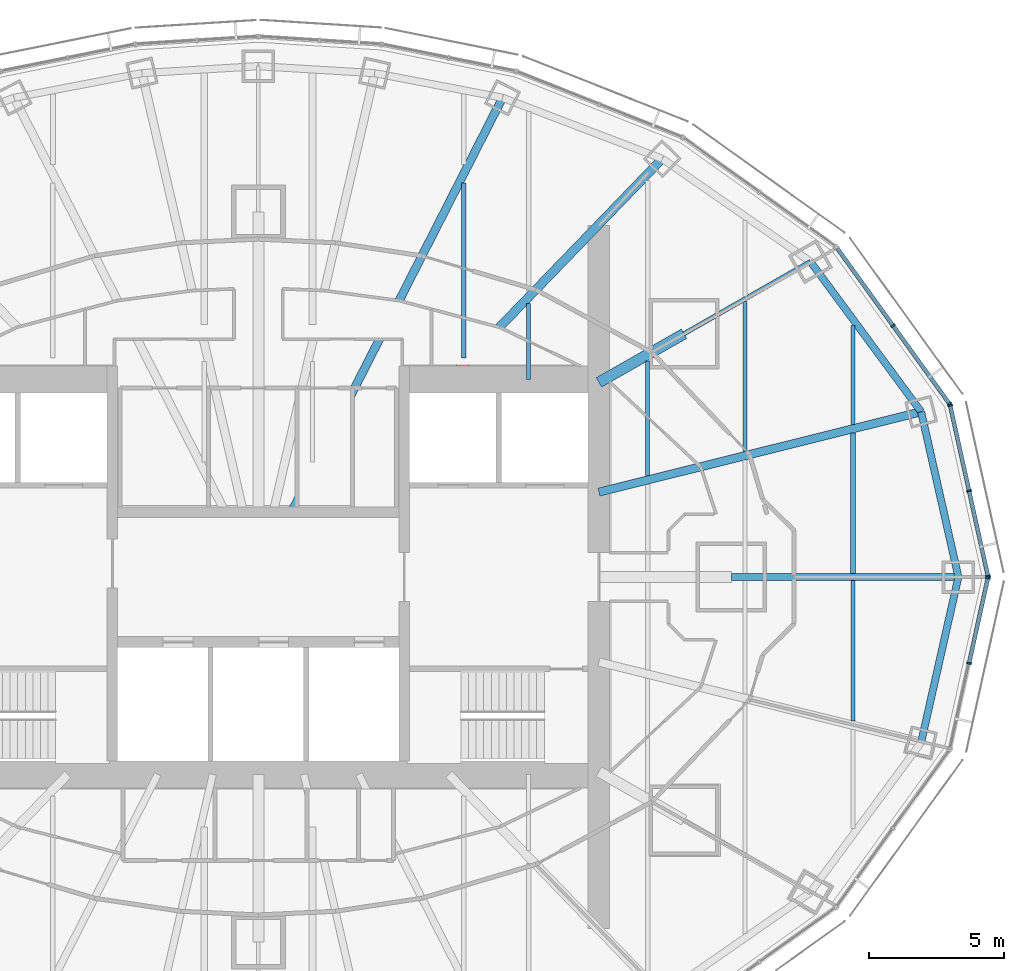
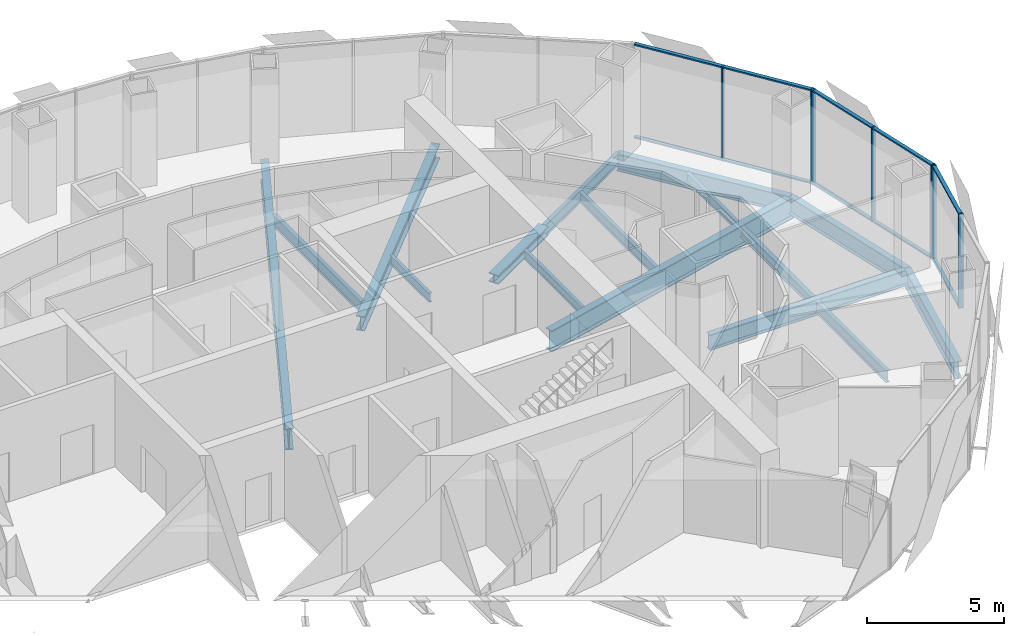
# One storey, part 7 of 17: 17 members, 16 beams, 3 elements without a shape of their own.
"""IFC4 building model written with IfcOpenShell, lengths in metres."""

import ifcopenshell
import ifcopenshell.guid

model = None  # the IFC model being written
_history = None  # IfcOwnerHistory: only IFC2X3 demands one
_inside = {}  # id of a spatial element -> (the spatial element, [elements in it])
_under = {}  # id of a project, library or spatial element -> (it, [spatial elements below it])
_declared = {}  # id of a project -> (the project, [libraries it declares])
_typed = {}  # id of a type object -> (the type object, [elements of that type])
_made_of = {}  # id of a material, layer set ... -> (it, [elements and type objects made of it])


def new_model(schema):
    """Start an empty IFC model of exactly this schema.

    Asked for "IFC4X3", IfcOpenShell would pick the latest addendum, in which some entities
    have other attributes; the version numbers below select the first issue.
    IFC2X3 requires an IfcOwnerHistory on every rooted entity: one is made here for all.
    """
    global model, _history
    if schema == "IFC4X3":
        model = ifcopenshell.file(schema_version=(4, 3, 0, 0))
    else:
        model = ifcopenshell.file(schema=schema)
    _inside.clear()
    _under.clear()
    _declared.clear()
    _typed.clear()
    _made_of.clear()
    _history = None
    if model.schema == "IFC2X3":
        org = make("IfcOrganization", Name="unknown")
        user = make(
            "IfcPersonAndOrganization",
            ThePerson=make("IfcPerson", FamilyName="unknown"),
            TheOrganization=org,
        )
        app = make(
            "IfcApplication",
            ApplicationDeveloper=org,
            Version="unknown",
            ApplicationFullName="unknown",
            ApplicationIdentifier="unknown",
        )
        _history = make(
            "IfcOwnerHistory",
            OwningUser=user,
            OwningApplication=app,
            ChangeAction="ADDED",
            CreationDate=0,
        )
    return model


def make(cls, **values):
    """One entity of the class cls with the attributes given. An attribute that is None is left unset."""
    return model.create_entity(
        cls, **{name: value for name, value in values.items() if value is not None}
    )


def rooted(cls, **values):
    """An entity with a GlobalId (a new one), such as an element, a storey or a relation."""
    return make(cls, GlobalId=ifcopenshell.guid.new(), OwnerHistory=_history, **values)


def si_unit(unit_type, name, prefix=None):
    """IfcSIUnit, for example si_unit("LENGTHUNIT", "METRE", prefix="MILLI")."""
    return make("IfcSIUnit", UnitType=unit_type, Prefix=prefix, Name=name)


def assignment(units):
    """IfcUnitAssignment: the units of a project."""
    return None if units is None else make("IfcUnitAssignment", Units=units)


def point(xyz):
    """IfcCartesianPoint."""
    return None if xyz is None else make("IfcCartesianPoint", Coordinates=xyz)


def direction(xyz):
    """IfcDirection."""
    return None if xyz is None else make("IfcDirection", DirectionRatios=xyz)


def frame(location, z_axis=None, x_axis=None):
    """IfcAxis2Placement3D, a coordinate frame: its origin and axes. An axis left out is left unset."""
    return make(
        "IfcAxis2Placement3D",
        Location=point(location),
        Axis=direction(z_axis),
        RefDirection=direction(x_axis),
    )


def frame_2d(location, x_axis=None):
    """IfcAxis2Placement2D, a coordinate frame in the plane: its origin and x axis."""
    return make(
        "IfcAxis2Placement2D", Location=point(location), RefDirection=direction(x_axis)
    )


def origin():
    """The frame at (0, 0, 0) with its axes left unset."""
    return frame((0.0, 0.0, 0.0))


def origin_2d():
    """The frame at (0, 0) in the plane with its x axis left unset."""
    return frame_2d((0.0, 0.0))


def place(relative_to, where):
    """IfcLocalPlacement: puts the frame where relative to a parent placement (None: the world)."""
    return make(
        "IfcLocalPlacement", PlacementRelTo=relative_to, RelativePlacement=where
    )


def context(
    kind, dimensions, precision=None, world=None, true_north=None, identifier=None
):
    """IfcGeometricRepresentationContext, for example the 3D "Model" context."""
    return make(
        "IfcGeometricRepresentationContext",
        ContextIdentifier=identifier,
        ContextType=kind,
        CoordinateSpaceDimension=dimensions,
        Precision=precision,
        WorldCoordinateSystem=world,
        TrueNorth=true_north,
    )


def subcontext(parent, identifier, kind, view, scale=None):
    """IfcGeometricRepresentationSubContext, for example "Body" below "Model"."""
    return make(
        "IfcGeometricRepresentationSubContext",
        ContextIdentifier=identifier,
        ContextType=kind,
        ParentContext=parent,
        TargetScale=scale,
        TargetView=view,
    )


def project(units=None, contexts=None):
    """IfcProject with its units and contexts."""
    return rooted(
        "IfcProject",
        Name="project",
        RepresentationContexts=contexts,
        UnitsInContext=assignment(units),
    )


def spatial(cls, under=None, at=None, **own):
    """A site, building, storey or space (cls), placed at a placement, below another one or the project."""
    s = rooted(cls, ObjectPlacement=at, **own)
    if under is not None:
        _under.setdefault(under.id(), (under, []))[1].append(s)
    return s


def profile(cls, at=None, kind="AREA", **sizes):
    """A parametric profile (cls). Its sizes go by their IFC names, for example OverallWidth=200.0."""
    return make(cls, ProfileType=kind, Position=at, **sizes)


def rectangle(**sizes):
    """IfcRectangleProfileDef."""
    return profile("IfcRectangleProfileDef", **sizes)


def i_section(**sizes):
    """IfcIShapeProfileDef."""
    return profile("IfcIShapeProfileDef", **sizes)


def extrude(swept, where, along, depth):
    """IfcExtrudedAreaSolid: the profile swept, set in the frame where, extruded along a direction by depth."""
    return make(
        "IfcExtrudedAreaSolid",
        SweptArea=swept,
        Position=where,
        ExtrudedDirection=direction(along),
        Depth=depth,
    )


def shape(context_of_items, identifier, shape_type, items):
    """IfcShapeRepresentation: the items that make up one representation, for example the "Body"."""
    return make(
        "IfcShapeRepresentation",
        ContextOfItems=context_of_items,
        RepresentationIdentifier=identifier,
        RepresentationType=shape_type,
        Items=items,
    )


def material(Name=None, Category=None):
    """IfcMaterial."""
    return make("IfcMaterial", Name=Name, Category=Category)


def material_profile(
    of_material, cross_section, Name=None, Category=None, Priority=None
):
    """IfcMaterialProfile: a cross section and its material."""
    return make(
        "IfcMaterialProfile",
        Name=Name,
        Material=of_material,
        Profile=cross_section,
        Priority=Priority,
        Category=Category,
    )


def profile_set(profiles, Name=None, composite=None):
    """IfcMaterialProfileSet."""
    return make(
        "IfcMaterialProfileSet",
        Name=Name,
        MaterialProfiles=profiles,
        CompositeProfile=composite,
    )


def made_of(thing, what):
    """Note that an element or type object is made of a material, layer set ...; save() writes the relation."""
    if what is not None:
        _made_of.setdefault(what.id(), (what, []))[1].append(thing)
    return thing


def type_object(cls, material=None, **own):
    """A type object (cls), such as IfcWallType, which elements share."""
    return made_of(rooted(cls, **own), material)


def element(
    cls,
    number,
    at=None,
    inside=None,
    cuts=None,
    type_object=None,
    material=None,
    context=None,
    identifier="Body",
    shape_type=None,
    held_by="IfcProductDefinitionShape",
    body=None,
    shapes=None,
    **own,
):
    """One element of the class cls, such as IfcWall. Its Tag is "e" and its number.

    at: its placement. inside: the storey or other place that contains it. cuts: it is an
    opening in that element (IfcRelVoidsElement). A single representation is given by context,
    identifier, shape_type and body (its items); several are given by shapes. held_by: the class
    of the entity that holds the representations. save() writes the other relations.
    """
    e = rooted(cls, Tag="e%d" % number, ObjectPlacement=at, **own)
    if body is not None:
        shapes = [shape(context, identifier, shape_type, body)]
    if shapes is not None:
        e.Representation = make(held_by, Representations=shapes)
    if inside is not None:
        _inside.setdefault(inside.id(), (inside, []))[1].append(e)
    if cuts is not None:
        rooted(
            "IfcRelVoidsElement", RelatingBuildingElement=cuts, RelatedOpeningElement=e
        )
    if type_object is not None:
        _typed.setdefault(type_object.id(), (type_object, []))[1].append(e)
    return made_of(e, material)


def aggregate(whole, parts):
    """IfcRelAggregates: a whole, such as a stair, and the parts it consists of."""
    return rooted("IfcRelAggregates", RelatingObject=whole, RelatedObjects=parts)


def save(model, path):
    """Write the relations noted so far, then the file.

    IfcRelAggregates (storeys below a building ...), IfcRelContainedInSpatialStructure (elements
    in a storey), IfcRelDefinesByType, IfcRelAssociatesMaterial and IfcRelDeclares: one each for
    every whole, place, type object, material and project.
    """
    for whole, parts in _under.values():
        aggregate(whole, parts)
    for where, things in _inside.values():
        rooted(
            "IfcRelContainedInSpatialStructure",
            RelatedElements=things,
            RelatingStructure=where,
        )
    for kind, things in _typed.values():
        rooted("IfcRelDefinesByType", RelatedObjects=things, RelatingType=kind)
    for what, things in _made_of.values():
        rooted("IfcRelAssociatesMaterial", RelatedObjects=things, RelatingMaterial=what)
    for by, libraries in _declared.values():
        rooted("IfcRelDeclares", RelatingContext=by, RelatedDefinitions=libraries)
    model.write(path)


model = new_model("IFC4")

# Units and contexts
model_context = context("Model", 3, precision=1e-05, world=origin(), true_north=direction((0.0, 1.0)))
body_context = subcontext(model_context, "Body", "Model", "MODEL_VIEW")
ifc_project = project(units=[si_unit("LENGTHUNIT", "METRE"), si_unit("AREAUNIT", "SQUARE_METRE"), si_unit("VOLUMEUNIT", "CUBIC_METRE"), si_unit("PLANEANGLEUNIT", "RADIAN"), si_unit("MASSUNIT", "GRAM", prefix="KILO")], contexts=[model_context])

# Site, building, storey
site_placement = place(None, origin())
site = spatial("IfcSite", under=ifc_project, at=site_placement, CompositionType="ELEMENT")
building_placement = place(site_placement, origin())
building = spatial("IfcBuilding", under=site, at=building_placement, Name="Lantaw Convention Tower", CompositionType="ELEMENT")
storey_placement = place(building_placement, frame((0.0, 0.0, 211.60009765625)))
storey = spatial("IfcBuildingStorey", under=building, at=storey_placement, Name="L49", CompositionType="ELEMENT", Elevation=211.60009765625)

# Beams
ifc_material_1 = material(Name="Steel ASTM A992", Category="steel")
ifc_material_profile_1 = material_profile(ifc_material_1, i_section(OverallWidth=0.2666015625, OverallDepth=0.76953125, WebThickness=0.015625, FlangeThickness=0.025390625, FilletRadius=0.0126953125, at=origin_2d()), Name="W30X132")
ifc_profile_set_1 = profile_set([ifc_material_profile_1], Name="Steel ASTM A992")
beam_type_1 = type_object("IfcBeamType", Name="Beam E W30X132", PredefinedType="SPANDREL", material=ifc_profile_set_1)
beam_1_placement = place(storey_placement, frame((25.89990234375, 0.0, -0.534912109375), z_axis=(-0.219857926596, 0.97553190215, 0.0), x_axis=(-0.97553190215, -0.219857926596, 0.0)))
element("IfcBeam", 1, at=beam_1_placement, inside=storey, type_object=beam_type_1, Name="Edge beam 1", PredefinedType="SPANDREL", context=body_context, shape_type="SweptSolid", body=[
    extrude(i_section(OverallWidth=0.2666015625, OverallDepth=0.76953125, WebThickness=0.015625, FlangeThickness=0.025390625, FilletRadius=0.0126953125, at=origin_2d()), origin(), (0.0, 0.0, 1.0), 6.267333984375),
])
beam_2_placement = place(storey_placement, frame((24.52197265625, 6.114013671875, -0.534912109375), z_axis=(-0.593639188853, 0.804731329984, 0.0), x_axis=(-0.804731329984, -0.593639188853, 0.0)))
element("IfcBeam", 2, at=beam_2_placement, inside=storey, type_object=beam_type_1, Name="Edge beam 2", PredefinedType="SPANDREL", context=body_context, shape_type="SweptSolid", body=[
    extrude(i_section(OverallWidth=0.2666015625, OverallDepth=0.76953125, WebThickness=0.015625, FlangeThickness=0.025390625, FilletRadius=0.0126953125, at=origin_2d()), origin(), (0.0, 0.0, 1.0), 6.904541015625),
])
beam_3_placement = place(storey_placement, frame((24.52197265625, -6.114013671875, -0.534912109375), z_axis=(0.219857926596, 0.97553190215, 0.0), x_axis=(-0.97553190215, 0.219857926596, 0.0)))
element("IfcBeam", 3, at=beam_3_placement, inside=storey, type_object=beam_type_1, Name="Edge beam 24", PredefinedType="SPANDREL", context=body_context, shape_type="SweptSolid", body=[
    extrude(i_section(OverallWidth=0.2666015625, OverallDepth=0.76953125, WebThickness=0.015625, FlangeThickness=0.025390625, FilletRadius=0.0126953125, at=origin_2d()), origin(), (0.0, 0.0, 1.0), 6.267333984375),
])
ifc_material_profile_2 = material_profile(ifc_material_1, i_section(OverallWidth=0.1650390625, OverallDepth=0.52587890625, WebThickness=0.0087890625, FlangeThickness=0.011474609375, FilletRadius=0.0126953125, at=origin_2d()), Name="W21X44")
ifc_profile_set_2 = profile_set([ifc_material_profile_2], Name="Steel ASTM A992")
beam_type_2 = type_object("IfcBeamType", Name="Beam G W21X44", PredefinedType="BEAM", material=ifc_profile_set_2)
beam_4_placement = place(storey_placement, frame((15.75, 9.0, -0.4130859375), z_axis=(0.868237559289, 0.496148708192, 0.0), x_axis=(-0.496148708192, 0.868237559289, 0.0)))
element("IfcBeam", 4, at=beam_4_placement, inside=storey, type_object=beam_type_2, Name="Floor girder on ray 3", PredefinedType="BEAM", context=body_context, shape_type="SweptSolid", body=[
    extrude(i_section(OverallWidth=0.1650390625, OverallDepth=0.52587890625, WebThickness=0.0087890625, FlangeThickness=0.011474609375, FilletRadius=0.0126953125, at=origin_2d()), origin(), (0.0, 0.0, 1.0), 5.38232421875),
])
ifc_material_profile_3 = material_profile(ifc_material_1, i_section(OverallWidth=0.32763671875, OverallDepth=0.64013671875, WebThickness=0.01904296875, FlangeThickness=0.033935546875, FilletRadius=0.0126953125, at=origin_2d()), Name="W24X176")
ifc_profile_set_3 = profile_set([ifc_material_profile_3], Name="Steel ASTM A992")
beam_type_3 = type_object("IfcBeamType", Name="Beam G W24X176", PredefinedType="BEAM", material=ifc_profile_set_3)
beam_5_placement = place(storey_placement, frame((7.049560546875, 7.300048828125, -0.47021484375), z_axis=(0.694657766726, 0.719340383356, 0.0), x_axis=(-0.719340383356, 0.694657766726, 0.0)))
element("IfcBeam", 5, at=beam_5_placement, inside=storey, type_object=beam_type_3, Name="Floor girder on ray 4", PredefinedType="BEAM", context=body_context, shape_type="SweptSolid", body=[
    extrude(i_section(OverallWidth=0.32763671875, OverallDepth=0.64013671875, WebThickness=0.01904296875, FlangeThickness=0.033935546875, FilletRadius=0.0126953125, at=origin_2d()), origin(), (0.0, 0.0, 1.0), 11.364990234375),
])
ifc_material_profile_4 = material_profile(ifc_material_1, i_section(OverallWidth=0.25390625, OverallDepth=0.700927734375, WebThickness=0.015380859375, FlangeThickness=0.02783203125, FilletRadius=0.01513671875, at=origin_2d()), Name="W27X129")
ifc_profile_set_4 = profile_set([ifc_material_profile_4], Name="Steel ASTM A992")
beam_type_4 = type_object("IfcBeamType", Name="Beam G W27X129", PredefinedType="BEAM", material=ifc_profile_set_4)
beam_6_placement = place(storey_placement, frame((17.5, 0.0, -0.500732421875), z_axis=(1.0, 0.0, 0.0), x_axis=(0.0, 1.0, 0.0)))
element("IfcBeam", 6, at=beam_6_placement, inside=storey, type_object=beam_type_4, Name="Floor girder on ray 1", PredefinedType="BEAM", context=body_context, shape_type="SweptSolid", body=[
    extrude(i_section(OverallWidth=0.25390625, OverallDepth=0.700927734375, WebThickness=0.015380859375, FlangeThickness=0.02783203125, FilletRadius=0.01513671875, at=origin_2d()), origin(), (0.0, 0.0, 1.0), 8.39990234375),
])
ifc_material_profile_5 = material_profile(ifc_material_1, i_section(OverallWidth=0.307373046875, OverallDepth=0.9423828125, WebThickness=0.022216796875, FlangeThickness=0.039794921875, FilletRadius=0.0126953125, at=origin_2d()), Name="W36X232")
ifc_profile_set_5 = profile_set([ifc_material_profile_5], Name="Steel ASTM A992")
beam_type_5 = type_object("IfcBeamType", Name="Beam G W36X232", PredefinedType="BEAM", material=ifc_profile_set_5)
beam_7_placement = place(storey_placement, frame((12.60009765625, 3.1416015625, -0.621337890625), z_axis=(0.970296589314, 0.241918434119, 0.0), x_axis=(-0.241918434119, 0.970296589314, 0.0)))
element("IfcBeam", 7, at=beam_7_placement, inside=storey, type_object=beam_type_5, Name="Floor girder on ray 2", PredefinedType="BEAM", context=body_context, shape_type="SweptSolid", body=[
    extrude(i_section(OverallWidth=0.307373046875, OverallDepth=0.9423828125, WebThickness=0.022216796875, FlangeThickness=0.039794921875, FilletRadius=0.0126953125, at=origin_2d()), origin(), (0.0, 0.0, 1.0), 12.286865234375),
])
beam_8_placement = place(storey_placement, frame((1.222900390625, 2.39990234375, -0.621337890625), z_axis=(0.453988481463, 0.891007552549, 0.0), x_axis=(-0.891007552549, 0.453988481463, 0.0)))
element("IfcBeam", 8, at=beam_8_placement, inside=storey, type_object=beam_type_5, Name="Floor girder on ray 5", PredefinedType="BEAM", context=body_context, shape_type="SweptSolid", body=[
    extrude(i_section(OverallWidth=0.307373046875, OverallDepth=0.9423828125, WebThickness=0.022216796875, FlangeThickness=0.039794921875, FilletRadius=0.0126953125, at=origin_2d()), origin(), (0.0, 0.0, 1.0), 17.20703125),
])
ifc_material_profile_6 = material_profile(ifc_material_1, i_section(OverallWidth=0.40380859375, OverallDepth=0.406494140625, WebThickness=0.027099609375, FlangeThickness=0.043701171875, FilletRadius=0.01513671875, at=origin_2d()), Name="W14X233")
ifc_profile_set_6 = profile_set([ifc_material_profile_6], Name="Steel ASTM A992")
beam_type_6 = type_object("IfcBeamType", Name="Beam GM W14X233", PredefinedType="BEAM", material=ifc_profile_set_6)
beam_9_placement = place(storey_placement, frame((12.60009765625, 7.199951171875, -0.353271484375), z_axis=(0.868230718294, 0.496160679428, 0.0), x_axis=(-0.496160679428, 0.868230718294, 0.0)))
element("IfcBeam", 9, at=beam_9_placement, inside=storey, type_object=beam_type_6, Name="Core link beam on ray 3", PredefinedType="BEAM", context=body_context, shape_type="SweptSolid", body=[
    extrude(i_section(OverallWidth=0.40380859375, OverallDepth=0.406494140625, WebThickness=0.027099609375, FlangeThickness=0.043701171875, FilletRadius=0.01513671875, at=origin_2d()), origin(), (0.0, 0.0, 1.0), 3.6279296875),
])
ifc_material_profile_7 = material_profile(ifc_material_1, i_section(OverallWidth=0.140380859375, OverallDepth=0.40380859375, WebThickness=0.007080078125, FlangeThickness=0.01123046875, FilletRadius=0.01025390625, at=origin_2d()), Name="W16X31")
ifc_profile_set_7 = profile_set([ifc_material_profile_7], Name="Steel ASTM A992")
beam_type_7 = type_object("IfcBeamType", Name="Beam J W16X31", PredefinedType="JOIST", material=ifc_profile_set_7)
beam_10_placement = place(storey_placement, frame((10.0, 7.300048828125, -0.35205078125), z_axis=(0.0, 1.0, 0.0), x_axis=(-1.0, 0.0, 0.0)))
element("IfcBeam", 10, at=beam_10_placement, inside=storey, type_object=beam_type_7, Name="Floor joist", PredefinedType="JOIST", context=body_context, shape_type="SweptSolid", body=[
    extrude(i_section(OverallWidth=0.140380859375, OverallDepth=0.40380859375, WebThickness=0.007080078125, FlangeThickness=0.01123046875, FilletRadius=0.01025390625, at=origin_2d()), origin(), (0.0, 0.0, 1.0), 2.8193359375),
])
beam_11_placement = place(storey_placement, frame((14.39990234375, 3.748779296875, -0.35205078125), z_axis=(0.0, 1.0, 0.0), x_axis=(-1.0, 0.0, 0.0)))
element("IfcBeam", 11, at=beam_11_placement, inside=storey, type_object=beam_type_7, Name="Floor joist", PredefinedType="JOIST", context=body_context, shape_type="SweptSolid", body=[
    extrude(i_section(OverallWidth=0.140380859375, OverallDepth=0.40380859375, WebThickness=0.007080078125, FlangeThickness=0.01123046875, FilletRadius=0.01025390625, at=origin_2d()), origin(), (0.0, 0.0, 1.0), 4.247314453125),
])
beam_12_placement = place(storey_placement, frame((22.0, 5.6435546875, -0.35205078125), z_axis=(0.0, 1.0, 0.0), x_axis=(-1.0, 0.0, 0.0)))
element("IfcBeam", 12, at=beam_12_placement, inside=storey, type_object=beam_type_7, Name="Floor joist", PredefinedType="JOIST", context=body_context, shape_type="SweptSolid", body=[
    extrude(i_section(OverallWidth=0.140380859375, OverallDepth=0.40380859375, WebThickness=0.007080078125, FlangeThickness=0.01123046875, FilletRadius=0.01025390625, at=origin_2d()), origin(), (0.0, 0.0, 1.0), 3.66455078125),
])
ifc_material_profile_8 = material_profile(ifc_material_1, i_section(OverallWidth=0.15234375, OverallDepth=0.449462890625, WebThickness=0.007568359375, FlangeThickness=0.0107421875, FilletRadius=0.01025390625, at=origin_2d()), Name="W18X35")
ifc_profile_set_8 = profile_set([ifc_material_profile_8], Name="Steel ASTM A992")
beam_type_8 = type_object("IfcBeamType", Name="Beam J W18X35", PredefinedType="JOIST", material=ifc_profile_set_8)
beam_13_placement = place(storey_placement, frame((18.0, 4.646240234375, -0.375), z_axis=(0.0, 1.0, 0.0), x_axis=(-1.0, 0.0, 0.0)))
element("IfcBeam", 13, at=beam_13_placement, inside=storey, type_object=beam_type_8, Name="Floor joist", PredefinedType="JOIST", context=body_context, shape_type="SweptSolid", body=[
    extrude(i_section(OverallWidth=0.15234375, OverallDepth=0.449462890625, WebThickness=0.007568359375, FlangeThickness=0.0107421875, FilletRadius=0.01025390625, at=origin_2d()), origin(), (0.0, 0.0, 1.0), 5.54443359375),
])
ifc_material_profile_9 = material_profile(ifc_material_1, i_section(OverallWidth=0.1904296875, OverallDepth=0.457275390625, WebThickness=0.009033203125, FlangeThickness=0.014404296875, FilletRadius=0.01025390625, at=origin_2d()), Name="W18X50")
ifc_profile_set_9 = profile_set([ifc_material_profile_9], Name="Steel ASTM A992")
beam_type_9 = type_object("IfcBeamType", Name="Beam J W18X50", PredefinedType="JOIST", material=ifc_profile_set_9)
beam_14_placement = place(storey_placement, frame((22.0, 0.126953125, -0.378662109375), z_axis=(0.0, 1.0, 0.0), x_axis=(-1.0, 0.0, 0.0)))
element("IfcBeam", 14, at=beam_14_placement, inside=storey, type_object=beam_type_9, Name="Floor joist", PredefinedType="JOIST", context=body_context, shape_type="SweptSolid", body=[
    extrude(i_section(OverallWidth=0.1904296875, OverallDepth=0.457275390625, WebThickness=0.009033203125, FlangeThickness=0.014404296875, FilletRadius=0.01025390625, at=origin_2d()), origin(), (0.0, 0.0, 1.0), 5.199951171875),
])
ifc_material_profile_10 = material_profile(ifc_material_1, i_section(OverallWidth=0.1650390625, OverallDepth=0.52587890625, WebThickness=0.0087890625, FlangeThickness=0.011474609375, FilletRadius=0.0126953125, at=origin_2d()), Name="W21X44")
ifc_profile_set_10 = profile_set([ifc_material_profile_10], Name="Steel ASTM A992")
beam_type_10 = type_object("IfcBeamType", Name="Beam J W21X44", PredefinedType="JOIST", material=ifc_profile_set_10)
beam_15_placement = place(storey_placement, frame((7.60009765625, 8.10595703125, -0.4130859375), z_axis=(0.0, 1.0, 0.0), x_axis=(-1.0, 0.0, 0.0)))
element("IfcBeam", 15, at=beam_15_placement, inside=storey, type_object=beam_type_10, Name="Floor joist", PredefinedType="JOIST", context=body_context, shape_type="SweptSolid", body=[
    extrude(i_section(OverallWidth=0.1650390625, OverallDepth=0.52587890625, WebThickness=0.0087890625, FlangeThickness=0.011474609375, FilletRadius=0.0126953125, at=origin_2d()), origin(), (0.0, 0.0, 1.0), 6.471435546875),
])
beam_16_placement = place(storey_placement, frame((22.0, -5.326904296875, -0.4130859375), z_axis=(0.0, 1.0, 0.0), x_axis=(-1.0, 0.0, 0.0)))
element("IfcBeam", 16, at=beam_16_placement, inside=storey, type_object=beam_type_10, Name="Floor joist", PredefinedType="JOIST", context=body_context, shape_type="SweptSolid", body=[
    extrude(i_section(OverallWidth=0.1650390625, OverallDepth=0.52587890625, WebThickness=0.0087890625, FlangeThickness=0.011474609375, FilletRadius=0.0126953125, at=origin_2d()), origin(), (0.0, 0.0, 1.0), 5.199951171875),
])

# Curtain wall, members
ifc_material_2 = material(Name="Aluminium framed curtain wall", Category="aluminium")
curtain_wall_type = type_object("IfcCurtainWallType", Name="Office curtain wall high rise, pale aluminium", PredefinedType="USERDEFINED", material=ifc_material_2)
curtain_wall_1_placement = place(storey_placement, origin())
curtain_wall_1 = element("IfcCurtainWall", 17, at=curtain_wall_1_placement, inside=storey, type_object=curtain_wall_type, Name="Office curtain wall high rise, pale aluminium L49", ObjectType="UNITISED CURTAIN WALL", PredefinedType="USERDEFINED")
ifc_material_3 = material(Name="Aluminium 6063-T6", Category="aluminium")
ifc_material_profile_11 = material_profile(ifc_material_3, rectangle(XDim=0.179931640625, YDim=0.06494140625, at=origin_2d()), Name="CW-O2 mullion 65x180")
ifc_profile_set_11 = profile_set([ifc_material_profile_11], Name="Aluminium 6063-T6")
member_type_1 = type_object("IfcMemberType", Name="CW-O2 mullion 65x180", PredefinedType="MULLION", material=ifc_profile_set_11)
member_1_placement = place(storey_placement, frame((26.992919921875, 0.03173828125, -0.150146484375), z_axis=(0.0, 0.0, 1.0), x_axis=(-0.976417396437, -0.215891333626, 0.0)))
member_1 = element("IfcMember", 18, at=member_1_placement, type_object=member_type_1, Name="CW-O2 mullion 1", PredefinedType="MULLION", context=body_context, shape_type="SweptSolid", body=[
    extrude(rectangle(XDim=0.179931640625, YDim=0.06494140625, at=origin_2d()), origin(), (0.0, 0.0, 1.0), 4.199951171875),
])
member_2_placement = place(storey_placement, frame((26.294677734375, 3.190185546875, -0.150146484375), z_axis=(0.0, 0.0, 1.0), x_axis=(-0.976417396437, -0.215891333626, 0.0)))
member_2 = element("IfcMember", 19, at=member_2_placement, type_object=member_type_1, Name="CW-O2 mullion 2", PredefinedType="MULLION", context=body_context, shape_type="SweptSolid", body=[
    extrude(rectangle(XDim=0.179931640625, YDim=0.06494140625, at=origin_2d()), origin(), (0.0, 0.0, 1.0), 4.199951171875),
])
member_3_placement = place(storey_placement, frame((25.596435546875, 6.348388671875, -0.150146484375), z_axis=(0.0, 0.0, 1.0), x_axis=(-0.976417396437, -0.215891333626, 0.0)))
member_3 = element("IfcMember", 20, at=member_3_placement, type_object=member_type_1, Name="CW-O2 mullion 3", PredefinedType="MULLION", context=body_context, shape_type="SweptSolid", body=[
    extrude(rectangle(XDim=0.179931640625, YDim=0.06494140625, at=origin_2d()), origin(), (0.0, 0.0, 1.0), 4.199951171875),
])

curtain_wall_2_placement = place(storey_placement, origin())
curtain_wall_2 = element("IfcCurtainWall", 21, at=curtain_wall_2_placement, inside=storey, type_object=curtain_wall_type, Name="Office curtain wall high rise, pale aluminium L49", ObjectType="UNITISED CURTAIN WALL", PredefinedType="USERDEFINED")
member_4_placement = place(storey_placement, frame((25.5703125, 6.406494140625, -0.150146484375), z_axis=(0.0, 0.0, 1.0), x_axis=(-0.810919559405, -0.585157643865, 0.0)))
member_4 = element("IfcMember", 22, at=member_4_placement, type_object=member_type_1, Name="CW-O2 mullion 1", PredefinedType="MULLION", context=body_context, shape_type="SweptSolid", body=[
    extrude(rectangle(XDim=0.179931640625, YDim=0.06494140625, at=origin_2d()), origin(), (0.0, 0.0, 1.0), 4.199951171875),
])
member_5_placement = place(storey_placement, frame((23.483642578125, 9.298095703125, -0.150146484375), z_axis=(0.0, 0.0, 1.0), x_axis=(-0.810919559405, -0.585157643865, 0.0)))
member_5 = element("IfcMember", 23, at=member_5_placement, type_object=member_type_1, Name="CW-O2 mullion 2", PredefinedType="MULLION", context=body_context, shape_type="SweptSolid", body=[
    extrude(rectangle(XDim=0.179931640625, YDim=0.06494140625, at=origin_2d()), origin(), (0.0, 0.0, 1.0), 4.199951171875),
])

curtain_wall_3_placement = place(storey_placement, origin())
curtain_wall_3 = element("IfcCurtainWall", 24, at=curtain_wall_3_placement, inside=storey, type_object=curtain_wall_type, Name="Office curtain wall high rise, pale aluminium L49", ObjectType="UNITISED CURTAIN WALL", PredefinedType="USERDEFINED")
member_6_placement = place(storey_placement, frame((26.294677734375, -3.190185546875, -0.150146484375), z_axis=(0.0, 0.0, 1.0), x_axis=(-0.976417396437, 0.215891333626, 0.0)))
member_6 = element("IfcMember", 25, at=member_6_placement, type_object=member_type_1, Name="CW-O2 mullion 2", PredefinedType="MULLION", context=body_context, shape_type="SweptSolid", body=[
    extrude(rectangle(XDim=0.179931640625, YDim=0.06494140625, at=origin_2d()), origin(), (0.0, 0.0, 1.0), 4.199951171875),
])
member_7_placement = place(storey_placement, frame((26.992919921875, -0.03173828125, -0.150146484375), z_axis=(0.0, 0.0, 1.0), x_axis=(-0.976417396437, 0.215891333626, 0.0)))
member_7 = element("IfcMember", 26, at=member_7_placement, type_object=member_type_1, Name="CW-O2 mullion 3", PredefinedType="MULLION", context=body_context, shape_type="SweptSolid", body=[
    extrude(rectangle(XDim=0.179931640625, YDim=0.06494140625, at=origin_2d()), origin(), (0.0, 0.0, 1.0), 4.199951171875),
])

# Member
ifc_material_profile_12 = material_profile(ifc_material_3, rectangle(XDim=0.14990234375, YDim=0.06494140625, at=origin_2d()), Name="CW-O2 transom 65x150")
ifc_profile_set_12 = profile_set([ifc_material_profile_12], Name="Aluminium 6063-T6")
member_type_2 = type_object("IfcMemberType", Name="CW-O2 transom 65x150", PredefinedType="USERDEFINED", material=ifc_profile_set_12)
member_8_placement = place(storey_placement, frame((26.986083984375, 0.0634765625, -0.11767578125), z_axis=(-0.215894607042, 0.976416672661, 0.0), x_axis=(-0.976416672661, -0.215894607042, 0.0)))
member_8 = element("IfcMember", 27, at=member_8_placement, type_object=member_type_2, Name="CW-O2 transom 1.1", ObjectType="TRANSOM", PredefinedType="USERDEFINED", context=body_context, shape_type="SweptSolid", body=[
    extrude(rectangle(XDim=0.14990234375, YDim=0.06494140625, at=origin_2d()), origin(), (0.0, 0.0, 1.0), 3.169677734375),
])

member_9_placement = place(storey_placement, frame((26.986083984375, 0.0634765625, 4.017333984375), z_axis=(-0.215894607042, 0.976416672661, 0.0), x_axis=(-0.976416672661, -0.215894607042, 0.0)))
member_9 = element("IfcMember", 28, at=member_9_placement, type_object=member_type_2, Name="CW-O2 transom 1.2", ObjectType="TRANSOM", PredefinedType="USERDEFINED", context=body_context, shape_type="SweptSolid", body=[
    extrude(rectangle(XDim=0.14990234375, YDim=0.06494140625, at=origin_2d()), origin(), (0.0, 0.0, 1.0), 3.169677734375),
])

member_10_placement = place(storey_placement, frame((26.28759765625, 3.2216796875, -0.11767578125), z_axis=(-0.215894607042, 0.976416672661, 0.0), x_axis=(-0.976416672661, -0.215894607042, 0.0)))
member_10 = element("IfcMember", 29, at=member_10_placement, type_object=member_type_2, Name="CW-O2 transom 2.1", ObjectType="TRANSOM", PredefinedType="USERDEFINED", context=body_context, shape_type="SweptSolid", body=[
    extrude(rectangle(XDim=0.14990234375, YDim=0.06494140625, at=origin_2d()), origin(), (0.0, 0.0, 1.0), 3.169677734375),
])

member_11_placement = place(storey_placement, frame((26.28759765625, 3.2216796875, 4.017333984375), z_axis=(-0.215894607042, 0.976416672661, 0.0), x_axis=(-0.976416672661, -0.215894607042, 0.0)))
member_11 = element("IfcMember", 30, at=member_11_placement, type_object=member_type_2, Name="CW-O2 transom 2.2", ObjectType="TRANSOM", PredefinedType="USERDEFINED", context=body_context, shape_type="SweptSolid", body=[
    extrude(rectangle(XDim=0.14990234375, YDim=0.06494140625, at=origin_2d()), origin(), (0.0, 0.0, 1.0), 3.169677734375),
])

aggregate(curtain_wall_1, [member_1, member_2, member_3, member_8, member_9, member_10, member_11])

member_12_placement = place(storey_placement, frame((25.55126953125, 6.432861328125, -0.11767578125), z_axis=(-0.585169685931, 0.810910869743, 0.0), x_axis=(-0.810910869743, -0.585169685931, 0.0)))
member_12 = element("IfcMember", 31, at=member_12_placement, type_object=member_type_2, Name="CW-O2 transom 1.1", ObjectType="TRANSOM", PredefinedType="USERDEFINED", context=body_context, shape_type="SweptSolid", body=[
    extrude(rectangle(XDim=0.14990234375, YDim=0.06494140625, at=origin_2d()), origin(), (0.0, 0.0, 1.0), 3.500732421875),
])

member_13_placement = place(storey_placement, frame((25.55126953125, 6.432861328125, 4.017333984375), z_axis=(-0.585169685931, 0.810910869743, 0.0), x_axis=(-0.810910869743, -0.585169685931, 0.0)))
member_13 = element("IfcMember", 32, at=member_13_placement, type_object=member_type_2, Name="CW-O2 transom 1.2", ObjectType="TRANSOM", PredefinedType="USERDEFINED", context=body_context, shape_type="SweptSolid", body=[
    extrude(rectangle(XDim=0.14990234375, YDim=0.06494140625, at=origin_2d()), origin(), (0.0, 0.0, 1.0), 3.500732421875),
])

member_14_placement = place(storey_placement, frame((23.464599609375, 9.324462890625, -0.11767578125), z_axis=(-0.585123825205, 0.810943961798, 0.0), x_axis=(-0.810943961798, -0.585123825205, 0.0)))
member_14 = element("IfcMember", 33, at=member_14_placement, type_object=member_type_2, Name="CW-O2 transom 2.1", ObjectType="TRANSOM", PredefinedType="USERDEFINED", context=body_context, shape_type="SweptSolid", body=[
    extrude(rectangle(XDim=0.14990234375, YDim=0.06494140625, at=origin_2d()), origin(), (0.0, 0.0, 1.0), 3.500732421875),
])

member_15_placement = place(storey_placement, frame((23.464599609375, 9.324462890625, 4.017333984375), z_axis=(-0.585123825205, 0.810943961798, 0.0), x_axis=(-0.810943961798, -0.585123825205, 0.0)))
member_15 = element("IfcMember", 34, at=member_15_placement, type_object=member_type_2, Name="CW-O2 transom 2.2", ObjectType="TRANSOM", PredefinedType="USERDEFINED", context=body_context, shape_type="SweptSolid", body=[
    extrude(rectangle(XDim=0.14990234375, YDim=0.06494140625, at=origin_2d()), origin(), (0.0, 0.0, 1.0), 3.500732421875),
])

aggregate(curtain_wall_2, [member_4, member_5, member_12, member_13, member_14, member_15])

member_16_placement = place(storey_placement, frame((26.3017578125, -3.158447265625, -0.11767578125), z_axis=(0.215894607042, 0.976416672661, 0.0), x_axis=(-0.976416672661, 0.215894607042, 0.0)))
member_16 = element("IfcMember", 35, at=member_16_placement, type_object=member_type_2, Name="CW-O2 transom 2.1", ObjectType="TRANSOM", PredefinedType="USERDEFINED", context=body_context, shape_type="SweptSolid", body=[
    extrude(rectangle(XDim=0.14990234375, YDim=0.06494140625, at=origin_2d()), origin(), (0.0, 0.0, 1.0), 3.169677734375),
])

member_17_placement = place(storey_placement, frame((26.3017578125, -3.158447265625, 4.017333984375), z_axis=(0.215894607042, 0.976416672661, 0.0), x_axis=(-0.976416672661, 0.215894607042, 0.0)))
member_17 = element("IfcMember", 36, at=member_17_placement, type_object=member_type_2, Name="CW-O2 transom 2.2", ObjectType="TRANSOM", PredefinedType="USERDEFINED", context=body_context, shape_type="SweptSolid", body=[
    extrude(rectangle(XDim=0.14990234375, YDim=0.06494140625, at=origin_2d()), origin(), (0.0, 0.0, 1.0), 3.169677734375),
])

aggregate(curtain_wall_3, [member_6, member_7, member_16, member_17])

save(model, "model.ifc")
